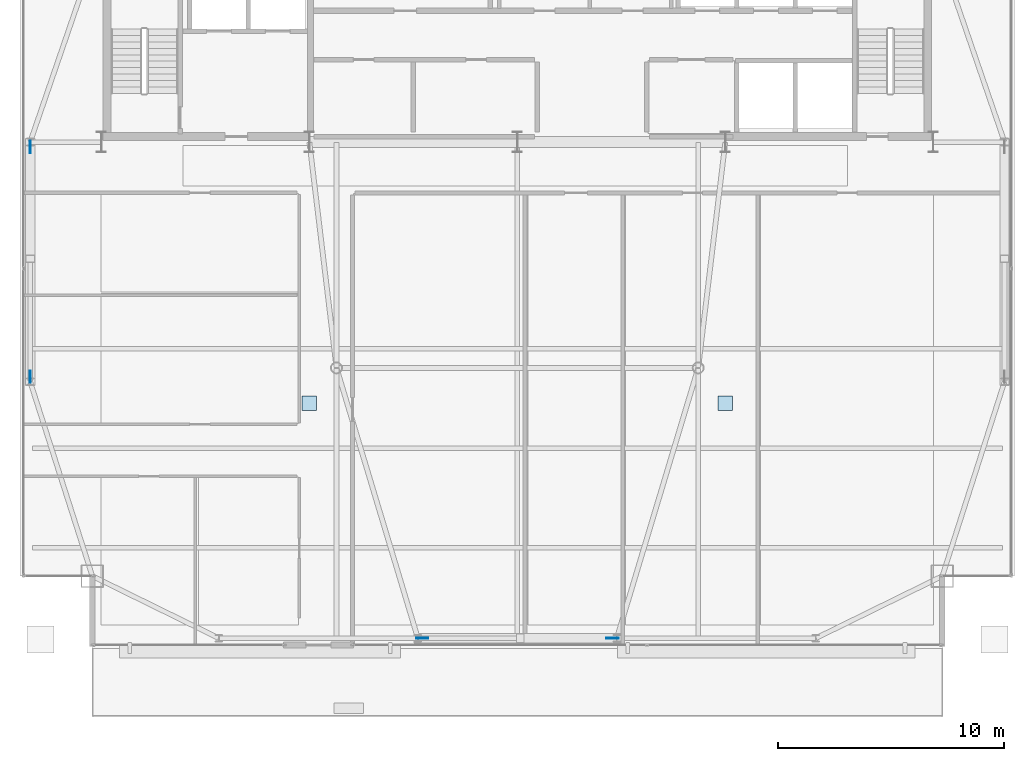
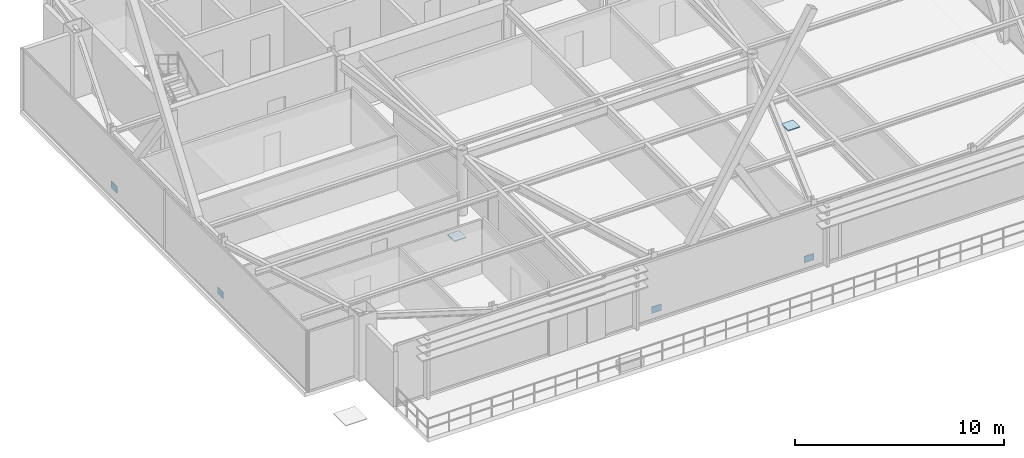
# One storey, part 19 of 25: 6 plates.
"""IFC4 building model written with IfcOpenShell, lengths in metres."""

from ifc_helpers import new_model, si_unit, direction, frame, origin, origin_2d, place, context, subcontext, project, spatial, rectangle, extrude, source, transform, mapped, material, layer, layer_set, type_object, type_shapes, element, save


model = new_model("IFC4")

# Units and contexts
model_context = context("Model", 3, precision=1e-05, world=origin(), true_north=direction((0.0, 1.0)))
body_context = subcontext(model_context, "Body", "Model", "MODEL_VIEW")
ifc_project = project(units=[si_unit("LENGTHUNIT", "METRE"), si_unit("AREAUNIT", "SQUARE_METRE"), si_unit("VOLUMEUNIT", "CUBIC_METRE"), si_unit("PLANEANGLEUNIT", "RADIAN"), si_unit("MASSUNIT", "GRAM", prefix="KILO")], contexts=[model_context])

# Site, building, storey
site_placement = place(None, origin())
site = spatial("IfcSite", under=ifc_project, at=site_placement, CompositionType="ELEMENT")
building_placement = place(site_placement, origin())
building = spatial("IfcBuilding", under=site, at=building_placement, Name="Varnel Quay Broadcast Tower", CompositionType="ELEMENT")
storey_placement = place(building_placement, frame((0.0, 0.0, 258.39990234375)))
storey = spatial("IfcBuildingStorey", under=building, at=storey_placement, Name="L64", CompositionType="ELEMENT", Elevation=258.39990234375)

# Plates
ifc_material = material(Name="Structural Steel CSA G40.21 350WT", Category="steel")
ifc_layer_1 = layer(ifc_material, 0.031982421875, Name="Structural Steel CSA G40.21 350WT")
ifc_layer_set_1 = layer_set([ifc_layer_1], Name="Structural Steel CSA G40.21 350WT")
plate_type_1 = type_object("IfcPlateType", Name="Plate_EndCap", PredefinedType="USERDEFINED", material=ifc_layer_set_1)
shared_shape_1 = source(origin(), body_context, "Body", "SweptSolid", [
    extrude(rectangle(XDim=0.5400390625, YDim=0.031982421875, at=origin_2d()), origin(), (0.0, 0.0, 1.0), 0.3798828125),
])
type_shapes(plate_type_1, [shared_shape_1])
for number, where, z_axis, x_axis, name in (
    (1, (29.793212890625, 13.64990234375, 0.157470703125), (0.0, 0.0, 1.0), (1.0, 0.0, 0.0), "Zone 5 Mega-Brace S-C1T1 Diag A End Connection Plate P0"),
    (2, (38.206787109375, 13.64990234375, 0.157470703125), (0.0, 0.0, 1.0), (1.0, 0.0, 0.0), "Zone 5 Mega-Brace S-C1T1 Diag B1 End Connection Plate P0"),
    (3, (12.449951171875, 25.22021484375, 0.139892578125), (0.0, 0.0, 1.0), (0.0, 1.0, 0.0), "Zone 5 Mega-Brace W-FT1 Diag A End Connection Plate P0"),
    (4, (12.449951171875, 35.3798828125, 0.139892578125), (0.0, 0.0, 1.0), (0.0, 1.0, 0.0), "Zone 5 Mega-Brace W-FT1 Diag B1 End Connection Plate P0"),
):
    element("IfcPlate", number, at=place(storey_placement, frame(where, z_axis=z_axis, x_axis=x_axis)), inside=storey, type_object=plate_type_1, Name=name, ObjectType="CAP_PLATE", PredefinedType="USERDEFINED", context=body_context, shape_type="MappedRepresentation", body=[
        mapped(shared_shape_1, transform((0.0, 0.0, 0.0), x_axis=(1.0, 0.0, 0.0), y_axis=(0.0, 1.0, 0.0), z_axis=(0.0, 0.0, 1.0), scale=1.0)),
    ])
ifc_layer_2 = layer(ifc_material, 0.050048828125, Name="Structural Steel CSA G40.21 350WT")
ifc_layer_set_2 = layer_set([ifc_layer_2], Name="Structural Steel CSA G40.21 350WT")
plate_type_2 = type_object("IfcPlateType", Name="Plate_BasePlate", PredefinedType="SHEET", material=ifc_layer_set_2)
shared_shape_2 = source(origin(), body_context, "Body", "SweptSolid", [
    extrude(rectangle(XDim=0.64990234375, YDim=0.64990234375, at=origin_2d()), origin(), (0.0, 0.0, 1.0), 0.050048828125),
])
type_shapes(plate_type_2, [shared_shape_2])
for number, where, z_axis, x_axis, name in (
    (5, (24.800048828125, 24.050048828125, -0.0048828125), (0.0, 0.0, 1.0), (1.0, 0.0, 0.0), "L63 Hollow Column Top Cap Plate IC-01"),
    (6, (43.199951171875, 24.050048828125, -0.0048828125), (0.0, 0.0, 1.0), (1.0, 0.0, 0.0), "L63 Hollow Column Top Cap Plate IC-02"),
):
    element("IfcPlate", number, at=place(storey_placement, frame(where, z_axis=z_axis, x_axis=x_axis)), inside=storey, type_object=plate_type_2, Name=name, PredefinedType="SHEET", context=body_context, shape_type="MappedRepresentation", body=[
        mapped(shared_shape_2, transform((0.0, 0.0, 0.0), x_axis=(1.0, 0.0, 0.0), y_axis=(0.0, 1.0, 0.0), z_axis=(0.0, 0.0, 1.0), scale=1.0)),
    ])

save(model, "model.ifc")
